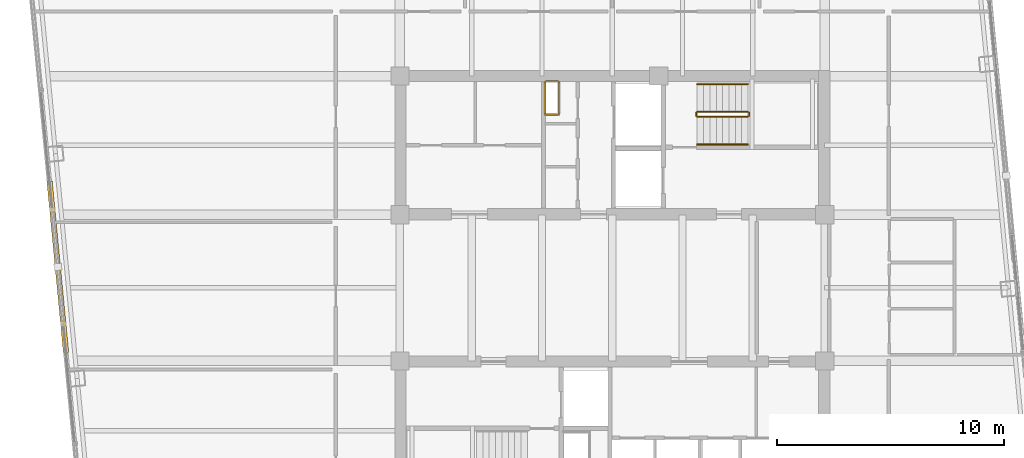
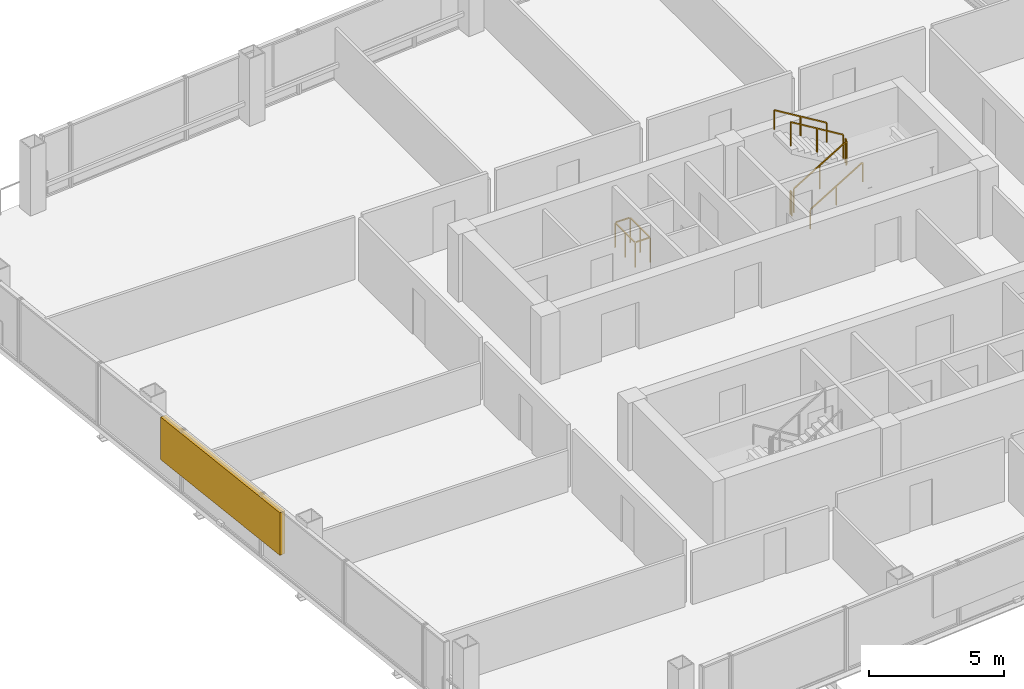
# One storey, part 28 of 29: 7 railings, 1 shading device.
"""IFC4 building model written with IfcOpenShell, lengths in metres."""

from ifc_helpers import new_model, si_unit, direction, frame, origin, origin_2d, place, context, subcontext, project, spatial, rectangle, extrude, material, type_object, element, save


model = new_model("IFC4")

# Units and contexts
model_context = context("Model", 3, precision=1e-05, world=origin(), true_north=direction((0.0, 1.0)))
body_context = subcontext(model_context, "Body", "Model", "MODEL_VIEW")
ifc_project = project(units=[si_unit("LENGTHUNIT", "METRE"), si_unit("AREAUNIT", "SQUARE_METRE"), si_unit("VOLUMEUNIT", "CUBIC_METRE"), si_unit("PLANEANGLEUNIT", "RADIAN"), si_unit("MASSUNIT", "GRAM", prefix="KILO")], contexts=[model_context])

# Site, building, storey
site_placement = place(None, origin())
site = spatial("IfcSite", under=ifc_project, at=site_placement, CompositionType="ELEMENT")
building_placement = place(site_placement, origin())
building = spatial("IfcBuilding", under=site, at=building_placement, Name="Qhalaya Broadcast Tower", CompositionType="ELEMENT")
storey_placement = place(building_placement, frame((0.0, 0.0, 177.5)))
storey = spatial("IfcBuildingStorey", under=building, at=storey_placement, Name="L52", CompositionType="ELEMENT", Elevation=177.5)

# Railings
ifc_material_1 = material(Name="Powder-Coated Galvanised Steel", Category="steel")
railing_type_1 = type_object("IfcRailingType", Name="Stair Wall Handrail 900", PredefinedType="HANDRAIL", material=ifc_material_1)
railing_1_placement = place(storey_placement, frame((3.75, 6.929931640625, 0.16943359375)))
element("IfcRailing", 1, at=railing_1_placement, inside=storey, type_object=railing_type_1, Name="L52 ST-1 Stair Handrail 1", PredefinedType="HANDRAIL", context=body_context, shape_type="SweptSolid", body=[
    extrude(rectangle(XDim=0.048095703125, YDim=0.048095703125, at=origin_2d()), frame((0.0, 0.0, 0.8759765625), z_axis=(0.855553338991, 0.0, 0.51771467445), x_axis=(0.0, 1.0, 0.0)), (0.0, 0.0, 1.0), 2.6181640625),
    extrude(rectangle(XDim=0.0419921875, YDim=0.0419921875, at=origin_2d()), origin(), (0.0, 0.0, 1.0), 0.849853515625),
    extrude(rectangle(XDim=0.0419921875, YDim=0.0419921875, at=origin_2d()), frame((1.1201171875, 0.0, 0.677734375)), (0.0, 0.0, 1.0), 0.849853515625),
    extrude(rectangle(XDim=0.0419921875, YDim=0.0419921875, at=origin_2d()), frame((2.239990234375, 0.0, 1.35546875)), (0.0, 0.0, 1.0), 0.849853515625),
])
railing_2_placement = place(storey_placement, frame((5.989990234375, 9.590087890625, 1.6943359375)))
element("IfcRailing", 2, at=railing_2_placement, inside=storey, type_object=railing_type_1, Name="L52 ST-1 Stair Handrail 2", PredefinedType="HANDRAIL", context=body_context, shape_type="SweptSolid", body=[
    extrude(rectangle(XDim=0.048095703125, YDim=0.048095703125, at=origin_2d()), frame((0.0, 0.0, 0.8759765625), z_axis=(-0.855512035549, 0.0, 0.517782924622), x_axis=(0.0, -1.0, 0.0)), (0.0, 0.0, 1.0), 2.618408203125),
    extrude(rectangle(XDim=0.0419921875, YDim=0.0419921875, at=origin_2d()), origin(), (0.0, 0.0, 1.0), 0.849853515625),
    extrude(rectangle(XDim=0.0419921875, YDim=0.0419921875, at=origin_2d()), frame((-1.1201171875, 0.0, 0.677734375)), (0.0, 0.0, 1.0), 0.849853515625),
    extrude(rectangle(XDim=0.0419921875, YDim=0.0419921875, at=origin_2d()), frame((-2.239990234375, 0.0, 1.355712890625)), (0.0, 0.0, 1.0), 0.849853515625),
])
railing_type_2 = type_object("IfcRailingType", Name="Stair Well & Landing Guardrail 1100", PredefinedType="GUARDRAIL", material=ifc_material_1)
railing_3_placement = place(storey_placement, frame((-2.340087890625, 8.239990234375, 0.0)))
element("IfcRailing", 3, at=railing_3_placement, inside=storey, type_object=railing_type_2, Name="L52 Service Riser Opening Safety Guard NRSR", PredefinedType="GUARDRAIL", context=body_context, shape_type="SweptSolid", body=[
    extrude(rectangle(XDim=0.048095703125, YDim=0.048095703125, at=origin_2d()), frame((0.0, 0.02880859375, 1.1259765625), z_axis=(0.0, 1.0, 0.0), x_axis=(-1.0, 0.0, 0.0)), (0.0, 0.0, 1.0), 1.42236328125),
    extrude(rectangle(XDim=0.048095703125, YDim=0.048095703125, at=origin_2d()), frame((-0.02880859375, 1.47998046875, 1.1259765625), z_axis=(-1.0, 0.0, 0.0), x_axis=(0.0, -1.0, 0.0)), (0.0, 0.0, 1.0), 0.582275390625),
    extrude(rectangle(XDim=0.048095703125, YDim=0.048095703125, at=origin_2d()), frame((-0.639892578125, 1.451171875, 1.1259765625), z_axis=(0.0, -1.0, 0.0), x_axis=(1.0, 0.0, 0.0)), (0.0, 0.0, 1.0), 1.42236328125),
    extrude(rectangle(XDim=0.048095703125, YDim=0.048095703125, at=origin_2d()), frame((-0.611083984375, 0.0, 1.1259765625), z_axis=(1.0, 0.0, 0.0), x_axis=(0.0, 1.0, 0.0)), (0.0, 0.0, 1.0), 0.582275390625),
    extrude(rectangle(XDim=0.0419921875, YDim=0.0419921875, at=origin_2d()), origin(), (0.0, 0.0, 1.0), 1.099853515625),
    extrude(rectangle(XDim=0.0419921875, YDim=0.0419921875, at=origin_2d()), frame((0.0, 0.739990234375, 0.0)), (0.0, 0.0, 1.0), 1.099853515625),
    extrude(rectangle(XDim=0.0419921875, YDim=0.0419921875, at=origin_2d()), frame((0.0, 1.47998046875, 0.0)), (0.0, 0.0, 1.0), 1.099853515625),
    extrude(rectangle(XDim=0.0419921875, YDim=0.0419921875, at=origin_2d()), frame((-0.639892578125, 1.47998046875, 0.0)), (0.0, 0.0, 1.0), 1.099853515625),
    extrude(rectangle(XDim=0.0419921875, YDim=0.0419921875, at=origin_2d()), frame((-0.639892578125, 0.739990234375, 0.0)), (0.0, 0.0, 1.0), 1.099853515625),
    extrude(rectangle(XDim=0.0419921875, YDim=0.0419921875, at=origin_2d()), frame((-0.639892578125, 0.0, 0.0)), (0.0, 0.0, 1.0), 1.099853515625),
])
railing_4_placement = place(storey_placement, frame((3.75, 8.14990234375, 0.16943359375)))
element("IfcRailing", 4, at=railing_4_placement, inside=storey, type_object=railing_type_2, Name="L52 ST-1 Stair Guard 1", PredefinedType="GUARDRAIL", context=body_context, shape_type="SweptSolid", body=[
    extrude(rectangle(XDim=0.048095703125, YDim=0.048095703125, at=origin_2d()), frame((0.0, 0.0, 1.076171875), z_axis=(0.855553338991, 0.0, 0.51771467445), x_axis=(0.0, 1.0, 0.0)), (0.0, 0.0, 1.0), 2.6181640625),
    extrude(rectangle(XDim=0.0419921875, YDim=0.0419921875, at=origin_2d()), origin(), (0.0, 0.0, 1.0), 1.050048828125),
    extrude(rectangle(XDim=0.0419921875, YDim=0.0419921875, at=origin_2d()), frame((1.1201171875, 0.0, 0.677734375)), (0.0, 0.0, 1.0), 1.050048828125),
    extrude(rectangle(XDim=0.0419921875, YDim=0.0419921875, at=origin_2d()), frame((2.239990234375, 0.0, 1.35546875)), (0.0, 0.0, 1.0), 1.050048828125),
])
railing_5_placement = place(storey_placement, frame((6.0400390625, 8.199951171875, 1.52490234375)))
element("IfcRailing", 5, at=railing_5_placement, inside=storey, type_object=railing_type_2, Name="L52 ST-1 Stair Guard 2", PredefinedType="GUARDRAIL", context=body_context, shape_type="SweptSolid", body=[
    extrude(rectangle(XDim=0.048095703125, YDim=0.048095703125, at=origin_2d()), frame((0.0, 0.0, 1.076171875), z_axis=(0.0, 1.0, 0.0), x_axis=(-1.0, 0.0, 0.0)), (0.0, 0.0, 1.0), 0.1201171875),
    extrude(rectangle(XDim=0.0419921875, YDim=0.0419921875, at=origin_2d()), origin(), (0.0, 0.0, 1.0), 1.050048828125),
    extrude(rectangle(XDim=0.0419921875, YDim=0.0419921875, at=origin_2d()), frame((0.0, 0.1201171875, 0.0)), (0.0, 0.0, 1.0), 1.050048828125),
])
railing_6_placement = place(storey_placement, frame((5.989990234375, 8.3701171875, 1.6943359375)))
element("IfcRailing", 6, at=railing_6_placement, inside=storey, type_object=railing_type_2, Name="L52 ST-1 Stair Guard 3", PredefinedType="GUARDRAIL", context=body_context, shape_type="SweptSolid", body=[
    extrude(rectangle(XDim=0.048095703125, YDim=0.048095703125, at=origin_2d()), frame((0.0, 0.0, 1.076171875), z_axis=(-0.855512035549, 0.0, 0.517782924622), x_axis=(0.0, -1.0, 0.0)), (0.0, 0.0, 1.0), 2.618408203125),
    extrude(rectangle(XDim=0.0419921875, YDim=0.0419921875, at=origin_2d()), origin(), (0.0, 0.0, 1.0), 1.050048828125),
    extrude(rectangle(XDim=0.0419921875, YDim=0.0419921875, at=origin_2d()), frame((-1.1201171875, 0.0, 0.677734375)), (0.0, 0.0, 1.0), 1.050048828125),
    extrude(rectangle(XDim=0.0419921875, YDim=0.0419921875, at=origin_2d()), frame((-2.239990234375, 0.0, 1.355712890625)), (0.0, 0.0, 1.0), 1.050048828125),
])
railing_7_placement = place(storey_placement, frame((3.699951171875, 8.199951171875, 0.0)))
element("IfcRailing", 7, at=railing_7_placement, inside=storey, type_object=railing_type_2, Name="L52 ST-1 Stair Guard 4", PredefinedType="GUARDRAIL", context=body_context, shape_type="SweptSolid", body=[
    extrude(rectangle(XDim=0.048095703125, YDim=0.048095703125, at=origin_2d()), frame((0.0, 0.0, 1.076171875), z_axis=(0.0, 1.0, 0.0), x_axis=(-1.0, 0.0, 0.0)), (0.0, 0.0, 1.0), 0.1201171875),
    extrude(rectangle(XDim=0.0419921875, YDim=0.0419921875, at=origin_2d()), origin(), (0.0, 0.0, 1.0), 1.050048828125),
    extrude(rectangle(XDim=0.0419921875, YDim=0.0419921875, at=origin_2d()), frame((0.0, 0.1201171875, 0.0)), (0.0, 0.0, 1.0), 1.050048828125),
])

# Shading device
ifc_material_2 = material(Name="Fired Architectural Terracotta", Category="masonry")
shading_device_type = type_object("IfcShadingDeviceType", Name="Terracotta Baguette Solar Screen Assembly TBS-01", PredefinedType="USERDEFINED", material=ifc_material_2)
shading_device_placement = place(storey_placement, frame((-24.47314453125, 1.5244140625, 0.79248046875), z_axis=(0.0, 0.0, 1.0), x_axis=(0.09584575252, -0.995396198367, 0.0)))
element("IfcShadingDevice", 8, at=shading_device_placement, inside=storey, type_object=shading_device_type, Name="L52 Fired Terracotta Baguette Screen W", ObjectType="BAGUETTE", PredefinedType="USERDEFINED", context=body_context, shape_type="SweptSolid", body=[
    extrude(rectangle(XDim=7.60009765625, YDim=0.239990234375, at=origin_2d()), origin(), (0.0, 0.0, 1.0), 1.924072265625),
])

save(model, "model.ifc")
